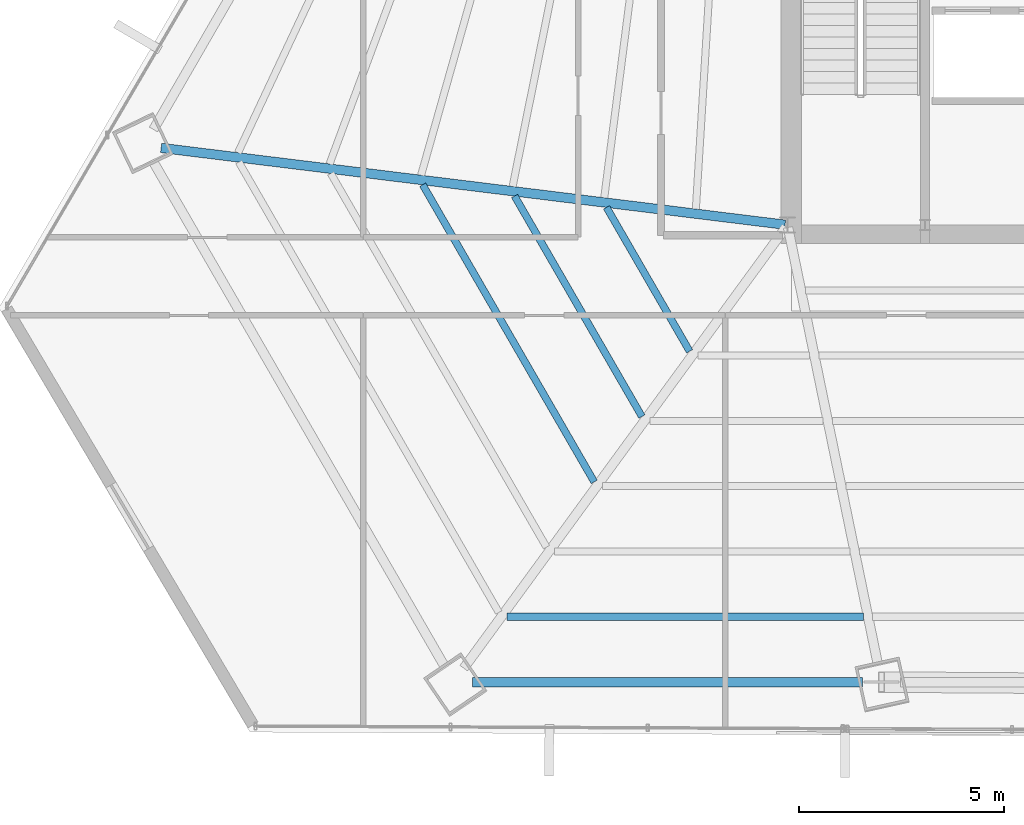
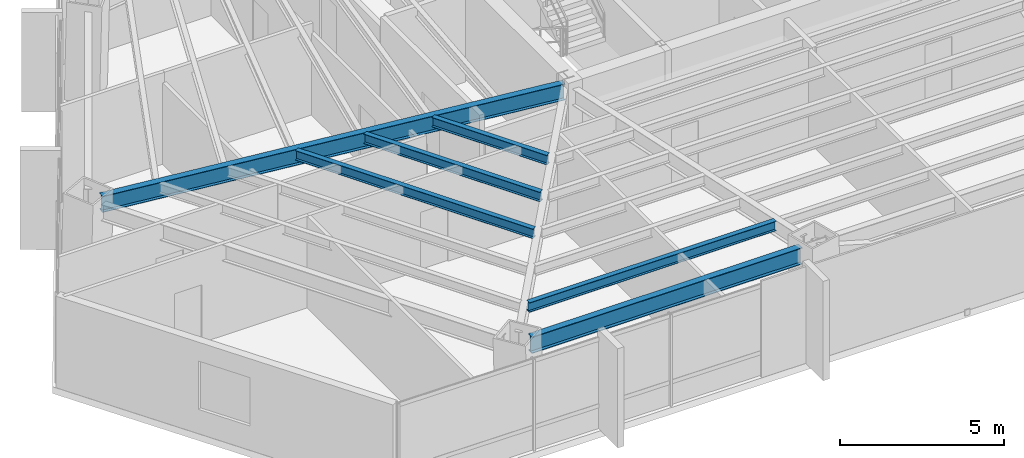
# One storey, part 8 of 35: 6 beams.
"""IFC4 building model written with IfcOpenShell, lengths in metres."""

from ifc_helpers import new_model, si_unit, direction, frame, origin, origin_2d, place, context, subcontext, project, spatial, i_section, extrude, source, transform, mapped, material, material_profile, profile_set, type_object, type_shapes, element, save


model = new_model("IFC4")

# Units and contexts
model_context = context("Model", 3, precision=1e-05, world=origin(), true_north=direction((0.0, 1.0)))
body_context = subcontext(model_context, "Body", "Model", "MODEL_VIEW")
ifc_project = project(units=[si_unit("LENGTHUNIT", "METRE"), si_unit("AREAUNIT", "SQUARE_METRE"), si_unit("VOLUMEUNIT", "CUBIC_METRE"), si_unit("PLANEANGLEUNIT", "RADIAN"), si_unit("MASSUNIT", "GRAM", prefix="KILO")], contexts=[model_context])

# Site, building, storey
site_placement = place(None, origin())
site = spatial("IfcSite", under=ifc_project, at=site_placement, CompositionType="ELEMENT")
building_placement = place(site_placement, origin())
building = spatial("IfcBuilding", under=site, at=building_placement, Name="Caelisora Broadcast Tower", CompositionType="ELEMENT")
storey_placement = place(building_placement, frame((0.0, 0.0, 98.10009765625)))
storey = spatial("IfcBuildingStorey", under=building, at=storey_placement, Name="L25", CompositionType="ELEMENT", Elevation=98.10009765625)

# Beams
ifc_material = material(Name="Steel Grade 350 (AS/NZS 3679.1)", Category="steel")
ifc_material_profile_1 = material_profile(ifc_material, i_section(OverallWidth=0.22900390625, OverallDepth=0.611572265625, WebThickness=0.011962890625, FlangeThickness=0.01953125, at=origin_2d()), Name="Steel Grade 350 (AS/NZS 3679.1)")
ifc_profile_set_1 = profile_set([ifc_material_profile_1], Name="Steel Grade 350 (AS/NZS 3679.1)")
beam_type_1 = type_object("IfcBeamType", Name="PG03", PredefinedType="BEAM", material=ifc_profile_set_1)
shared_shape_1 = source(origin(), body_context, "Body", "SweptSolid", [
    extrude(i_section(OverallWidth=0.22900390625, OverallDepth=0.611572265625, WebThickness=0.011962890625, FlangeThickness=0.01953125, at=origin_2d()), origin(), (0.0, 0.0, 1.0), 9.50048828125),
])
type_shapes(beam_type_1, [shared_shape_1])
beam_1_placement = place(storey_placement, frame((22.8291015625, 6.268798828125, 3.093994140625), z_axis=(1.0, 0.0, 0.0), x_axis=(0.0, 1.0, 0.0)))
element("IfcBeam", 1, at=beam_1_placement, inside=storey, type_object=beam_type_1, Name="L25 beam PG03", PredefinedType="BEAM", context=body_context, shape_type="MappedRepresentation", body=[
    mapped(shared_shape_1, transform((0.0, 0.0, 0.0), scale=1.0)),
])
ifc_material_profile_2 = material_profile(ifc_material, i_section(OverallWidth=0.22802734375, OverallDepth=0.602294921875, WebThickness=0.010498046875, FlangeThickness=0.014892578125, at=origin_2d()), Name="Steel Grade 350 (AS/NZS 3679.1)")
ifc_profile_set_2 = profile_set([ifc_material_profile_2], Name="Steel Grade 350 (AS/NZS 3679.1)")
beam_type_2 = type_object("IfcBeamType", Name="PG04", PredefinedType="BEAM", material=ifc_profile_set_2)
shared_shape_2 = source(origin(), body_context, "Body", "SweptSolid", [
    extrude(i_section(OverallWidth=0.22802734375, OverallDepth=0.602294921875, WebThickness=0.010498046875, FlangeThickness=0.014892578125, at=origin_2d()), origin(), (0.0, 0.0, 1.0), 15.3095703125),
])
type_shapes(beam_type_2, [shared_shape_2])
beam_2_placement = place(storey_placement, frame((30.4404296875, 17.4072265625, 3.098876953125), z_axis=(-0.992509196364, 0.122169943657, 0.0), x_axis=(-0.122169943657, -0.992509196364, 0.0)))
element("IfcBeam", 2, at=beam_2_placement, inside=storey, type_object=beam_type_2, Name="L25 beam PG04", PredefinedType="BEAM", context=body_context, shape_type="MappedRepresentation", body=[
    mapped(shared_shape_2, transform((0.0, 0.0, 0.0), scale=1.0)),
])
ifc_material_profile_3 = material_profile(ifc_material, i_section(OverallWidth=0.172119140625, OverallDepth=0.358642578125, WebThickness=0.008056640625, FlangeThickness=0.012939453125, at=origin_2d()), Name="Steel Grade 350 (AS/NZS 3679.1)")
ifc_profile_set_3 = profile_set([ifc_material_profile_3], Name="Steel Grade 350 (AS/NZS 3679.1)")
beam_type_3 = type_object("IfcBeamType", Name="SB02", PredefinedType="JOIST", material=ifc_profile_set_3)
shared_shape_3 = source(origin(), body_context, "Body", "SweptSolid", [
    extrude(i_section(OverallWidth=0.172119140625, OverallDepth=0.358642578125, WebThickness=0.008056640625, FlangeThickness=0.012939453125, at=origin_2d()), origin(), (0.0, 0.0, 1.0), 4.047607421875),
])
beam_3_placement = place(storey_placement, frame((26.09228515625, 17.830078125, 3.220703125), z_axis=(0.500044432659, -0.865999749057, 0.0), x_axis=(0.865999749057, 0.500044432659, 0.0)))
element("IfcBeam", 3, at=beam_3_placement, inside=storey, type_object=beam_type_3, Name="L25 beam SB02", PredefinedType="JOIST", context=body_context, shape_type="MappedRepresentation", body=[
    mapped(shared_shape_3, transform((0.0, 0.0, 0.0), scale=1.0)),
])
shared_shape_4 = source(origin(), body_context, "Body", "SweptSolid", [
    extrude(i_section(OverallWidth=0.172119140625, OverallDepth=0.358642578125, WebThickness=0.008056640625, FlangeThickness=0.012939453125, at=origin_2d()), origin(), (0.0, 0.0, 1.0), 6.201904296875),
])
beam_4_placement = place(storey_placement, frame((23.853515625, 18.105712890625, 3.220703125), z_axis=(0.500025728196, -0.866010549094, 0.0), x_axis=(0.866010549094, 0.500025728196, 0.0)))
element("IfcBeam", 4, at=beam_4_placement, inside=storey, type_object=beam_type_3, Name="L25 beam SB02", PredefinedType="JOIST", context=body_context, shape_type="MappedRepresentation", body=[
    mapped(shared_shape_4, transform((0.0, 0.0, 0.0), scale=1.0)),
])
shared_shape_5 = source(origin(), body_context, "Body", "SweptSolid", [
    extrude(i_section(OverallWidth=0.172119140625, OverallDepth=0.358642578125, WebThickness=0.008056640625, FlangeThickness=0.012939453125, at=origin_2d()), origin(), (0.0, 0.0, 1.0), 8.35595703125),
])
beam_5_placement = place(storey_placement, frame((21.614990234375, 18.381103515625, 3.220703125), z_axis=(0.499994755589, -0.866028431625, 0.0), x_axis=(0.866028431625, 0.499994755589, 0.0)))
element("IfcBeam", 5, at=beam_5_placement, inside=storey, type_object=beam_type_3, Name="L25 beam SB02", PredefinedType="JOIST", context=body_context, shape_type="MappedRepresentation", body=[
    mapped(shared_shape_5, transform((0.0, 0.0, 0.0), scale=1.0)),
])
shared_shape_6 = source(origin(), body_context, "Body", "SweptSolid", [
    extrude(i_section(OverallWidth=0.172119140625, OverallDepth=0.358642578125, WebThickness=0.008056640625, FlangeThickness=0.012939453125, at=origin_2d()), origin(), (0.0, 0.0, 1.0), 8.680419921875),
])
type_shapes(beam_type_3, [shared_shape_3, shared_shape_4, shared_shape_5, shared_shape_6])
beam_6_placement = place(storey_placement, frame((23.668701171875, 7.85888671875, 3.220703125), z_axis=(1.0, 0.0, 0.0), x_axis=(0.0, 1.0, 0.0)))
element("IfcBeam", 6, at=beam_6_placement, inside=storey, type_object=beam_type_3, Name="L25 beam SB02", PredefinedType="JOIST", context=body_context, shape_type="MappedRepresentation", body=[
    mapped(shared_shape_6, transform((0.0, 0.0, 0.0), scale=1.0)),
])

save(model, "model.ifc")
